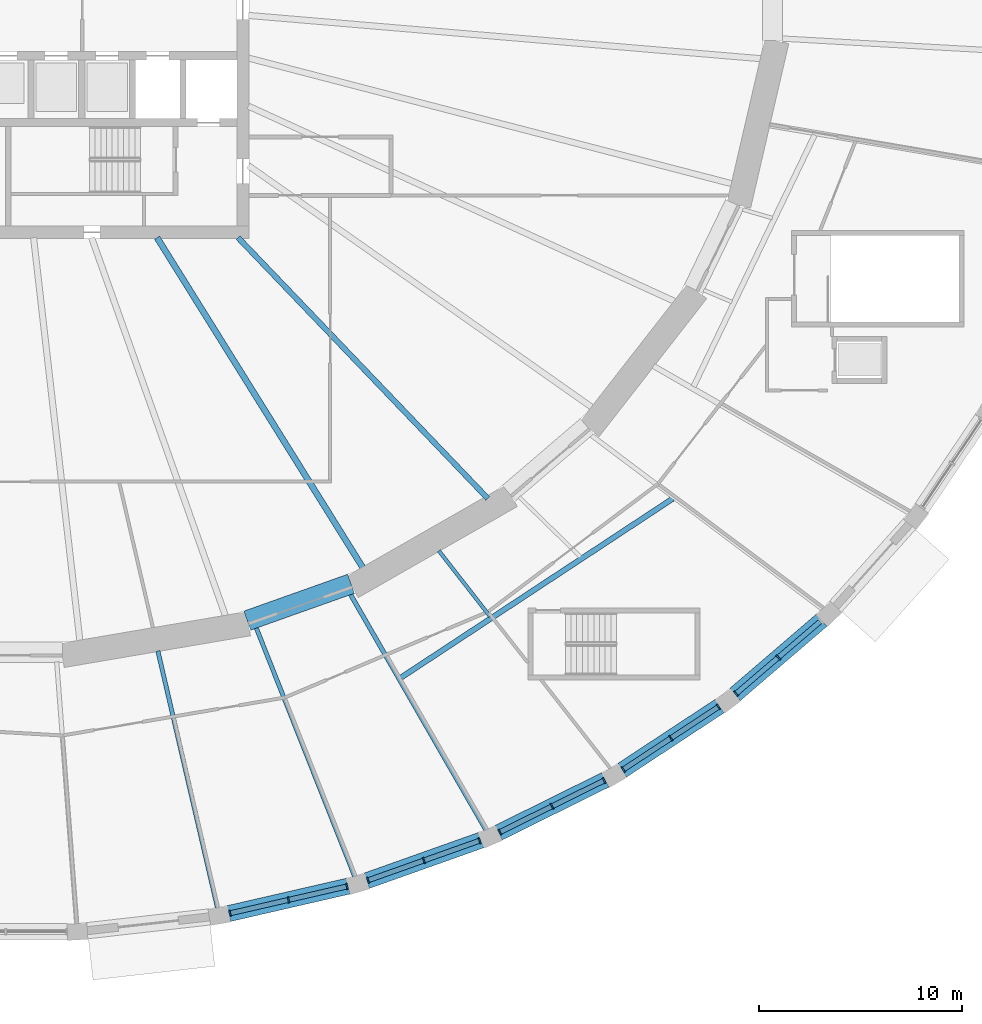
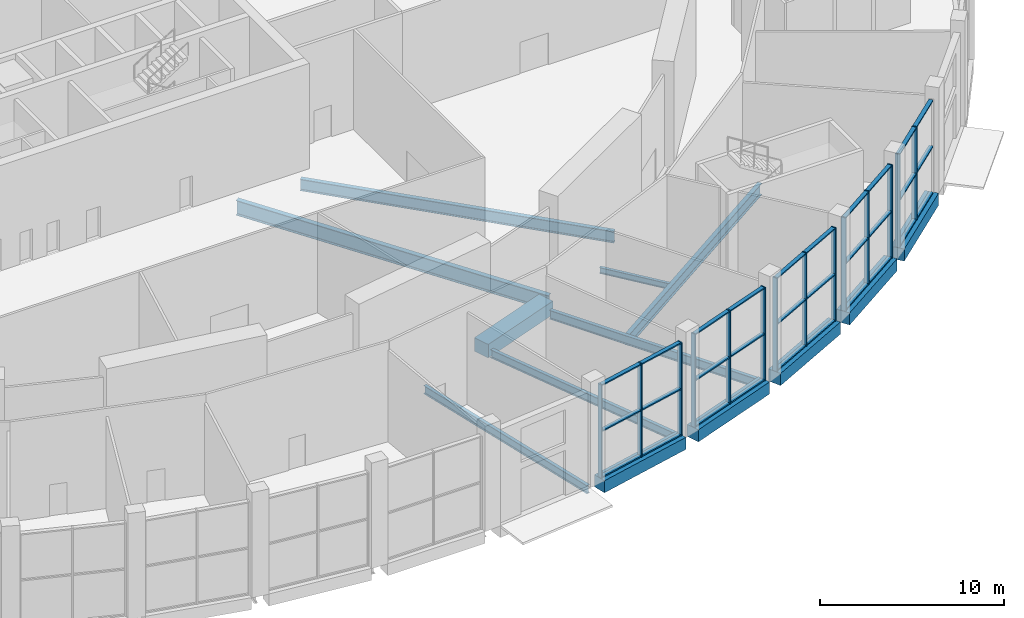
# One storey, part 7 of 33: 44 members, 13 beams, 5 elements without a shape of their own.
"""IFC4 building model written with IfcOpenShell, lengths in metres."""

from ifc_helpers import new_model, si_unit, direction, frame, origin, origin_2d, place, context, subcontext, project, spatial, rectangle, i_section, extrude, material, material_profile, profile_set, type_object, element, aggregate, save


model = new_model("IFC4")

# Units and contexts
model_context = context("Model", 3, precision=1e-05, world=origin(), true_north=direction((0.0, 1.0)))
body_context = subcontext(model_context, "Body", "Model", "MODEL_VIEW")
ifc_project = project(units=[si_unit("LENGTHUNIT", "METRE"), si_unit("AREAUNIT", "SQUARE_METRE"), si_unit("VOLUMEUNIT", "CUBIC_METRE"), si_unit("PLANEANGLEUNIT", "RADIAN"), si_unit("MASSUNIT", "GRAM", prefix="KILO")], contexts=[model_context])

# Site, building, storey
site_placement = place(None, origin())
site = spatial("IfcSite", under=ifc_project, at=site_placement, CompositionType="ELEMENT")
building_placement = place(site_placement, origin())
building = spatial("IfcBuilding", under=site, at=building_placement, Name="Halqa Exchange Tower", CompositionType="ELEMENT")
storey_placement = place(building_placement, origin())
storey = spatial("IfcBuildingStorey", under=building, at=storey_placement, Name="L00", CompositionType="ELEMENT", Elevation=0.0)

# Beams
ifc_material_1 = material(Name="Steel S355", Category="steel")
ifc_material_profile_1 = material_profile(ifc_material_1, i_section(OverallWidth=0.300048828125, OverallDepth=0.989990234375, WebThickness=0.0166015625, FlangeThickness=0.031005859375, FilletRadius=0.030029296875, at=origin_2d()), Name="HEA 1000")
ifc_profile_set_1 = profile_set([ifc_material_profile_1], Name="Steel S355")
beam_type_1 = type_object("IfcBeamType", Name="Floor beam HEA 1000", PredefinedType="BEAM", material=ifc_profile_set_1)
beam_1_placement = place(storey_placement, frame((7.46533203125, -11.971435546875, -0.945068359375), z_axis=(0.529145823441, -0.848530905468, 0.0), x_axis=(0.848530905468, 0.529145823441, 0.0)))
element("IfcBeam", 1, at=beam_1_placement, inside=storey, type_object=beam_type_1, Name="Radial beam 27", PredefinedType="BEAM", context=body_context, shape_type="SweptSolid", body=[
    extrude(i_section(OverallWidth=0.300048828125, OverallDepth=0.989990234375, WebThickness=0.0166015625, FlangeThickness=0.031005859375, FilletRadius=0.030029296875, at=origin_2d()), origin(), (0.0, 0.0, 1.0), 19.27294921875),
])
ifc_material_profile_2 = material_profile(ifc_material_1, i_section(OverallWidth=0.179931640625, OverallDepth=0.39990234375, WebThickness=0.008544921875, FlangeThickness=0.013427734375, FilletRadius=0.02099609375, at=origin_2d()), Name="IPE 400")
ifc_profile_set_2 = profile_set([ifc_material_profile_2], Name="Steel S355")
beam_type_2 = type_object("IfcBeamType", Name="Floor beam IPE 400", PredefinedType="BEAM", material=ifc_profile_set_2)
beam_2_placement = place(storey_placement, frame((21.3603515625, -27.40966796875, -0.64990234375), z_axis=(0.614706293657, -0.788756091919, 0.0), x_axis=(0.788756091919, 0.614706293657, 0.0)))
element("IfcBeam", 2, at=beam_2_placement, inside=storey, type_object=beam_type_2, Name="Radial beam 41a", PredefinedType="BEAM", context=body_context, shape_type="SweptSolid", body=[
    extrude(i_section(OverallWidth=0.179931640625, OverallDepth=0.39990234375, WebThickness=0.008544921875, FlangeThickness=0.013427734375, FilletRadius=0.02099609375, at=origin_2d()), origin(), (0.0, 0.0, 1.0), 4.104248046875),
])
ifc_material_profile_3 = material_profile(ifc_material_1, i_section(OverallWidth=0.2099609375, OverallDepth=0.550048828125, WebThickness=0.010986328125, FlangeThickness=0.01708984375, FilletRadius=0.02392578125, at=origin_2d()), Name="IPE 550")
ifc_profile_set_3 = profile_set([ifc_material_profile_3], Name="Steel S355")
beam_type_3 = type_object("IfcBeamType", Name="Floor beam IPE 550", PredefinedType="BEAM", material=ifc_profile_set_3)
beam_3_placement = place(storey_placement, frame((7.5048828125, -32.35009765625, -0.72509765625), z_axis=(0.2259960959, -0.974128207495, 0.0), x_axis=(0.974128207495, 0.2259960959, 0.0)))
element("IfcBeam", 3, at=beam_3_placement, inside=storey, type_object=beam_type_3, Name="Radial beam 38", PredefinedType="BEAM", context=body_context, shape_type="SweptSolid", body=[
    extrude(i_section(OverallWidth=0.2099609375, OverallDepth=0.550048828125, WebThickness=0.010986328125, FlangeThickness=0.01708984375, FilletRadius=0.02392578125, at=origin_2d()), origin(), (0.0, 0.0, 1.0), 13.03466796875),
])
beam_4_placement = place(storey_placement, frame((12.352294921875, -31.2001953125, -0.72509765625), z_axis=(0.368106640822, -0.929783577497, 0.0), x_axis=(0.929783577497, 0.368106640822, 0.0)))
element("IfcBeam", 4, at=beam_4_placement, inside=storey, type_object=beam_type_3, Name="Radial beam 39", PredefinedType="BEAM", context=body_context, shape_type="SweptSolid", body=[
    extrude(i_section(OverallWidth=0.2099609375, OverallDepth=0.550048828125, WebThickness=0.010986328125, FlangeThickness=0.01708984375, FilletRadius=0.02392578125, at=origin_2d()), origin(), (0.0, 0.0, 1.0), 13.22412109375),
])
ifc_material_profile_4 = material_profile(ifc_material_1, i_section(OverallWidth=0.219970703125, OverallDepth=0.60009765625, WebThickness=0.011962890625, FlangeThickness=0.01904296875, FilletRadius=0.02392578125, at=origin_2d()), Name="IPE 600")
ifc_profile_set_4 = profile_set([ifc_material_profile_4], Name="Steel S355")
beam_type_4 = type_object("IfcBeamType", Name="Floor beam IPE 600", PredefinedType="BEAM", material=ifc_profile_set_4)
beam_5_placement = place(storey_placement, frame((16.996826171875, -29.551513671875, -0.75), z_axis=(0.498570786865, -0.866848989435, 0.0), x_axis=(0.866848989435, 0.498570786865, 0.0)))
element("IfcBeam", 5, at=beam_5_placement, inside=storey, type_object=beam_type_4, Name="Radial beam 40", PredefinedType="BEAM", context=body_context, shape_type="SweptSolid", body=[
    extrude(i_section(OverallWidth=0.219970703125, OverallDepth=0.60009765625, WebThickness=0.011962890625, FlangeThickness=0.01904296875, FilletRadius=0.02392578125, at=origin_2d()), origin(), (0.0, 0.0, 1.0), 13.438720703125),
])
ifc_material_profile_5 = material_profile(ifc_material_1, i_section(OverallWidth=0.26806640625, OverallDepth=0.77001953125, WebThickness=0.015625, FlangeThickness=0.025390625, FilletRadius=0.01708984375, at=origin_2d()), Name="IPE 750x196")
ifc_profile_set_5 = profile_set([ifc_material_profile_5], Name="Steel S355")
beam_type_5 = type_object("IfcBeamType", Name="Floor beam IPE 750x196", PredefinedType="BEAM", material=ifc_profile_set_5)
beam_6_placement = place(storey_placement, frame((11.46240234375, -11.9716796875, -0.8349609375), z_axis=(0.6915763718, -0.722303344841, 0.0), x_axis=(0.722303344841, 0.6915763718, 0.0)))
element("IfcBeam", 6, at=beam_6_placement, inside=storey, type_object=beam_type_5, Name="Radial beam 28", PredefinedType="BEAM", context=body_context, shape_type="SweptSolid", body=[
    extrude(i_section(OverallWidth=0.26806640625, OverallDepth=0.77001953125, WebThickness=0.015625, FlangeThickness=0.025390625, FilletRadius=0.01708984375, at=origin_2d()), origin(), (0.0, 0.0, 1.0), 17.7978515625),
])
beam_7_placement = place(storey_placement, frame((19.467041015625, -33.682373046875, -0.8349609375), z_axis=(0.835204203593, 0.54993994063, 0.0), x_axis=(-0.54993994063, 0.835204203593, 0.0)))
element("IfcBeam", 7, at=beam_7_placement, inside=storey, type_object=beam_type_5, Name="Radial beam TPS2-in", PredefinedType="BEAM", context=body_context, shape_type="SweptSolid", body=[
    extrude(i_section(OverallWidth=0.26806640625, OverallDepth=0.77001953125, WebThickness=0.015625, FlangeThickness=0.025390625, FilletRadius=0.01708984375, at=origin_2d()), origin(), (0.0, 0.0, 1.0), 16.07958984375),
])
ifc_material_2 = material(Name="Concrete C60/75", Category="concrete")
ifc_material_profile_6 = material_profile(ifc_material_2, rectangle(XDim=0.800048828125, YDim=0.800048828125, at=origin_2d()), Name="800 x 800")
ifc_profile_set_6 = profile_set([ifc_material_profile_6], Name="Concrete C60/75")
beam_type_6 = type_object("IfcBeamType", Name="RC podium edge beam 800 x 800 C60/75", PredefinedType="SPANDREL", material=ifc_profile_set_6)
beam_8_placement = place(storey_placement, frame((10.99658203125, -45.304443359375, -0.39990234375), z_axis=(0.974604133477, 0.223934774008, 0.0), x_axis=(-0.223934774008, 0.974604133477, 0.0)))
element("IfcBeam", 8, at=beam_8_placement, inside=storey, type_object=beam_type_6, Name="Podium edge beam 38", PredefinedType="SPANDREL", context=body_context, shape_type="SweptSolid", body=[
    extrude(rectangle(XDim=0.800048828125, YDim=0.800048828125, at=origin_2d()), origin(), (0.0, 0.0, 1.0), 6.05517578125),
])
beam_9_placement = place(storey_placement, frame((17.802490234375, -43.684814453125, -0.39990234375), z_axis=(0.942343471221, 0.334647250469, 0.0), x_axis=(-0.334647250469, 0.942343471221, 0.0)))
element("IfcBeam", 9, at=beam_9_placement, inside=storey, type_object=beam_type_6, Name="Podium edge beam 39", PredefinedType="SPANDREL", context=body_context, shape_type="SweptSolid", body=[
    extrude(rectangle(XDim=0.800048828125, YDim=0.800048828125, at=origin_2d()), origin(), (0.0, 0.0, 1.0), 5.980712890625),
])
beam_10_placement = place(storey_placement, frame((24.30712890625, -41.3154296875, -0.39990234375), z_axis=(0.896205416004, 0.443639326847, 0.0), x_axis=(-0.443639326847, 0.896205416004, 0.0)))
element("IfcBeam", 10, at=beam_10_placement, inside=storey, type_object=beam_type_6, Name="Podium edge beam 40", PredefinedType="SPANDREL", context=body_context, shape_type="SweptSolid", body=[
    extrude(rectangle(XDim=0.800048828125, YDim=0.800048828125, at=origin_2d()), origin(), (0.0, 0.0, 1.0), 5.880126953125),
])
beam_11_placement = place(storey_placement, frame((30.396240234375, -38.23681640625, -0.39990234375), z_axis=(0.835418618456, 0.549614166426, 0.0), x_axis=(-0.549614166426, 0.835418618456, 0.0)))
element("IfcBeam", 11, at=beam_11_placement, inside=storey, type_object=beam_type_6, Name="Podium edge beam 41", PredefinedType="SPANDREL", context=body_context, shape_type="SweptSolid", body=[
    extrude(rectangle(XDim=0.800048828125, YDim=0.800048828125, at=origin_2d()), origin(), (0.0, 0.0, 1.0), 5.760986328125),
])
beam_12_placement = place(storey_placement, frame((35.963134765625, -34.502685546875, -0.39990234375), z_axis=(0.759174010844, 0.650887717859, 0.0), x_axis=(-0.650887717859, 0.759174010844, 0.0)))
element("IfcBeam", 12, at=beam_12_placement, inside=storey, type_object=beam_type_6, Name="Podium edge beam 42", PredefinedType="SPANDREL", context=body_context, shape_type="SweptSolid", body=[
    extrude(rectangle(XDim=0.800048828125, YDim=0.800048828125, at=origin_2d()), origin(), (0.0, 0.0, 1.0), 5.63427734375),
])
ifc_material_profile_7 = material_profile(ifc_material_2, rectangle(XDim=1.0, YDim=0.89990234375, at=origin_2d()), Name="1000 x 900")
ifc_profile_set_7 = profile_set([ifc_material_profile_7], Name="Concrete C60/75")
beam_type_7 = type_object("IfcBeamType", Name="RC spandrel beam 1000 x 900 C60/75", PredefinedType="SPANDREL", material=ifc_profile_set_7)
beam_13_placement = place(storey_placement, frame((11.9130859375, -30.855712890625, -0.449951171875), z_axis=(0.942357788657, 0.334606930826, 0.0), x_axis=(-0.334606930826, 0.942357788657, 0.0)))
element("IfcBeam", 13, at=beam_13_placement, inside=storey, type_object=beam_type_7, Name="Spandrel 26", PredefinedType="SPANDREL", context=body_context, shape_type="SweptSolid", body=[
    extrude(rectangle(XDim=1.0, YDim=0.89990234375, at=origin_2d()), origin(), (0.0, 0.0, 1.0), 5.429931640625),
])

# Curtain wall, members
ifc_material_3 = material(Name="Anodised aluminium and clear glass", Category="aluminium")
curtain_wall_type = type_object("IfcCurtainWallType", Name="Station concourse glazing", PredefinedType="NOTDEFINED", material=ifc_material_3)
curtain_wall_1_placement = place(storey_placement, origin())
curtain_wall_1 = element("IfcCurtainWall", 14, at=curtain_wall_1_placement, inside=storey, type_object=curtain_wall_type, Name="Station concourse glazing run P38", PredefinedType="NOTDEFINED")
ifc_material_4 = material(Name="Anodised aluminium", Category="aluminium")
ifc_material_profile_8 = material_profile(ifc_material_4, rectangle(XDim=0.300048828125, YDim=0.080078125, at=origin_2d()), Name="AL 80x300")
ifc_profile_set_8 = profile_set([ifc_material_profile_8], Name="Anodised aluminium")
member_type_1 = type_object("IfcMemberType", Name="Station concourse glazing mullion 80 x 300", PredefinedType="MULLION", material=ifc_profile_set_8)
member_1_placement = place(storey_placement, frame((11.061279296875, -45.28955078125, 0.0), z_axis=(0.0, 0.0, 1.0), x_axis=(-0.223896655269, 0.974612891234, 0.0)))
member_1 = element("IfcMember", 15, at=member_1_placement, type_object=member_type_1, Name="P38 mullion 1", PredefinedType="MULLION", context=body_context, shape_type="SweptSolid", body=[
    extrude(rectangle(XDim=0.300048828125, YDim=0.080078125, at=origin_2d()), origin(), (0.0, 0.0, 1.0), 6.199951171875),
])
member_2_placement = place(storey_placement, frame((13.9462890625, -44.626708984375, 0.0), z_axis=(0.0, 0.0, 1.0), x_axis=(-0.223896655269, 0.974612891234, 0.0)))
member_2 = element("IfcMember", 16, at=member_2_placement, type_object=member_type_1, Name="P38 mullion 2", PredefinedType="MULLION", context=body_context, shape_type="SweptSolid", body=[
    extrude(rectangle(XDim=0.300048828125, YDim=0.080078125, at=origin_2d()), origin(), (0.0, 0.0, 1.0), 6.199951171875),
])
member_3_placement = place(storey_placement, frame((16.831298828125, -43.9638671875, 0.0), z_axis=(0.0, 0.0, 1.0), x_axis=(-0.223896655269, 0.974612891234, 0.0)))
member_3 = element("IfcMember", 17, at=member_3_placement, type_object=member_type_1, Name="P38 mullion 3", PredefinedType="MULLION", context=body_context, shape_type="SweptSolid", body=[
    extrude(rectangle(XDim=0.300048828125, YDim=0.080078125, at=origin_2d()), origin(), (0.0, 0.0, 1.0), 6.199951171875),
])

curtain_wall_2_placement = place(storey_placement, origin())
curtain_wall_2 = element("IfcCurtainWall", 18, at=curtain_wall_2_placement, inside=storey, type_object=curtain_wall_type, Name="Station concourse glazing run P39", PredefinedType="NOTDEFINED")
member_4_placement = place(storey_placement, frame((17.86669921875, -43.662109375, 0.0), z_axis=(0.0, 0.0, 1.0), x_axis=(-0.334688348326, 0.942328875444, 0.0)))
member_4 = element("IfcMember", 19, at=member_4_placement, type_object=member_type_1, Name="P39 mullion 1", PredefinedType="MULLION", context=body_context, shape_type="SweptSolid", body=[
    extrude(rectangle(XDim=0.300048828125, YDim=0.080078125, at=origin_2d()), origin(), (0.0, 0.0, 1.0), 6.199951171875),
])
member_5_placement = place(storey_placement, frame((20.62060546875, -42.68408203125, 0.0), z_axis=(0.0, 0.0, 1.0), x_axis=(-0.334688348326, 0.942328875444, 0.0)))
member_5 = element("IfcMember", 20, at=member_5_placement, type_object=member_type_1, Name="P39 mullion 2", PredefinedType="MULLION", context=body_context, shape_type="SweptSolid", body=[
    extrude(rectangle(XDim=0.300048828125, YDim=0.080078125, at=origin_2d()), origin(), (0.0, 0.0, 1.0), 6.199951171875),
])
member_6_placement = place(storey_placement, frame((23.374755859375, -41.705810546875, 0.0), z_axis=(0.0, 0.0, 1.0), x_axis=(-0.334688348326, 0.942328875444, 0.0)))
member_6 = element("IfcMember", 21, at=member_6_placement, type_object=member_type_1, Name="P39 mullion 3", PredefinedType="MULLION", context=body_context, shape_type="SweptSolid", body=[
    extrude(rectangle(XDim=0.300048828125, YDim=0.080078125, at=origin_2d()), origin(), (0.0, 0.0, 1.0), 6.199951171875),
])

curtain_wall_3_placement = place(storey_placement, origin())
curtain_wall_3 = element("IfcCurtainWall", 22, at=curtain_wall_3_placement, inside=storey, type_object=curtain_wall_type, Name="Station concourse glazing run P40", PredefinedType="NOTDEFINED")
member_7_placement = place(storey_placement, frame((24.367431640625, -41.28564453125, 0.0), z_axis=(0.0, 0.0, 1.0), x_axis=(-0.443653417058, 0.896198440934, 0.0)))
member_7 = element("IfcMember", 23, at=member_7_placement, type_object=member_type_1, Name="P40 mullion 1", PredefinedType="MULLION", context=body_context, shape_type="SweptSolid", body=[
    extrude(rectangle(XDim=0.300048828125, YDim=0.080078125, at=origin_2d()), origin(), (0.0, 0.0, 1.0), 6.199951171875),
])
member_8_placement = place(storey_placement, frame((26.942138671875, -40.010986328125, 0.0), z_axis=(0.0, 0.0, 1.0), x_axis=(-0.443653417058, 0.896198440934, 0.0)))
member_8 = element("IfcMember", 24, at=member_8_placement, type_object=member_type_1, Name="P40 mullion 2", PredefinedType="MULLION", context=body_context, shape_type="SweptSolid", body=[
    extrude(rectangle(XDim=0.300048828125, YDim=0.080078125, at=origin_2d()), origin(), (0.0, 0.0, 1.0), 6.199951171875),
])
member_9_placement = place(storey_placement, frame((29.516845703125, -38.736572265625, 0.0), z_axis=(0.0, 0.0, 1.0), x_axis=(-0.443653417058, 0.896198440934, 0.0)))
member_9 = element("IfcMember", 25, at=member_9_placement, type_object=member_type_1, Name="P40 mullion 3", PredefinedType="MULLION", context=body_context, shape_type="SweptSolid", body=[
    extrude(rectangle(XDim=0.300048828125, YDim=0.080078125, at=origin_2d()), origin(), (0.0, 0.0, 1.0), 6.199951171875),
])

curtain_wall_4_placement = place(storey_placement, origin())
curtain_wall_4 = element("IfcCurtainWall", 26, at=curtain_wall_4_placement, inside=storey, type_object=curtain_wall_type, Name="Station concourse glazing run P41", PredefinedType="NOTDEFINED")
member_10_placement = place(storey_placement, frame((30.451904296875, -38.2001953125, 0.0), z_axis=(0.0, 0.0, 1.0), x_axis=(-0.549620040919, 0.835414753652, 0.0)))
member_10 = element("IfcMember", 27, at=member_10_placement, type_object=member_type_1, Name="P41 mullion 1", PredefinedType="MULLION", context=body_context, shape_type="SweptSolid", body=[
    extrude(rectangle(XDim=0.300048828125, YDim=0.080078125, at=origin_2d()), origin(), (0.0, 0.0, 1.0), 6.199951171875),
])
member_11_placement = place(storey_placement, frame((32.802734375, -36.653564453125, 0.0), z_axis=(0.0, 0.0, 1.0), x_axis=(-0.549620040919, 0.835414753652, 0.0)))
member_11 = element("IfcMember", 28, at=member_11_placement, type_object=member_type_1, Name="P41 mullion 2", PredefinedType="MULLION", context=body_context, shape_type="SweptSolid", body=[
    extrude(rectangle(XDim=0.300048828125, YDim=0.080078125, at=origin_2d()), origin(), (0.0, 0.0, 1.0), 6.199951171875),
])
member_12_placement = place(storey_placement, frame((35.153564453125, -35.10693359375, 0.0), z_axis=(0.0, 0.0, 1.0), x_axis=(-0.549620040919, 0.835414753652, 0.0)))
member_12 = element("IfcMember", 29, at=member_12_placement, type_object=member_type_1, Name="P41 mullion 3", PredefinedType="MULLION", context=body_context, shape_type="SweptSolid", body=[
    extrude(rectangle(XDim=0.300048828125, YDim=0.080078125, at=origin_2d()), origin(), (0.0, 0.0, 1.0), 6.199951171875),
])

curtain_wall_5_placement = place(storey_placement, origin())
curtain_wall_5 = element("IfcCurtainWall", 30, at=curtain_wall_5_placement, inside=storey, type_object=curtain_wall_type, Name="Station concourse glazing run P42", PredefinedType="NOTDEFINED")
member_13_placement = place(storey_placement, frame((36.0146484375, -34.458740234375, 0.0), z_axis=(0.0, 0.0, 1.0), x_axis=(-0.650910929175, 0.759154109704, 0.0)))
member_13 = element("IfcMember", 31, at=member_13_placement, type_object=member_type_1, Name="P42 mullion 1", PredefinedType="MULLION", context=body_context, shape_type="SweptSolid", body=[
    extrude(rectangle(XDim=0.300048828125, YDim=0.080078125, at=origin_2d()), origin(), (0.0, 0.0, 1.0), 6.199951171875),
])
member_14_placement = place(storey_placement, frame((38.10205078125, -32.6689453125, 0.0), z_axis=(0.0, 0.0, 1.0), x_axis=(-0.650910929175, 0.759154109704, 0.0)))
member_14 = element("IfcMember", 32, at=member_14_placement, type_object=member_type_1, Name="P42 mullion 2", PredefinedType="MULLION", context=body_context, shape_type="SweptSolid", body=[
    extrude(rectangle(XDim=0.300048828125, YDim=0.080078125, at=origin_2d()), origin(), (0.0, 0.0, 1.0), 6.199951171875),
])

# Member
ifc_material_profile_9 = material_profile(ifc_material_4, rectangle(XDim=0.25, YDim=0.080078125, at=origin_2d()), Name="AL 80x250")
ifc_profile_set_9 = profile_set([ifc_material_profile_9], Name="Anodised aluminium")
member_type_2 = type_object("IfcMemberType", Name="Station concourse glazing transom 80 x 250", PredefinedType="USERDEFINED", material=ifc_profile_set_9)
member_15_placement = place(storey_placement, frame((11.10009765625, -45.280517578125, 0.0400390625), z_axis=(0.974602195653, 0.223943207594, 0.0), x_axis=(-0.223943207594, 0.974602195653, 0.0)))
member_15 = element("IfcMember", 33, at=member_15_placement, type_object=member_type_2, Name="P38 transom 1.1", ObjectType="TRANSOM", PredefinedType="USERDEFINED", context=body_context, shape_type="SweptSolid", body=[
    extrude(rectangle(XDim=0.25, YDim=0.080078125, at=origin_2d()), origin(), (0.0, 0.0, 1.0), 2.88037109375),
])

member_16_placement = place(storey_placement, frame((11.10009765625, -45.280517578125, 3.10009765625), z_axis=(0.974602195653, 0.223943207594, 0.0), x_axis=(-0.223943207594, 0.974602195653, 0.0)))
member_16 = element("IfcMember", 34, at=member_16_placement, type_object=member_type_2, Name="P38 transom 1.2", ObjectType="TRANSOM", PredefinedType="USERDEFINED", context=body_context, shape_type="SweptSolid", body=[
    extrude(rectangle(XDim=0.25, YDim=0.080078125, at=origin_2d()), origin(), (0.0, 0.0, 1.0), 2.88037109375),
])

member_17_placement = place(storey_placement, frame((11.10009765625, -45.280517578125, 6.159912109375), z_axis=(0.974602195653, 0.223943207594, 0.0), x_axis=(-0.223943207594, 0.974602195653, 0.0)))
member_17 = element("IfcMember", 35, at=member_17_placement, type_object=member_type_2, Name="P38 transom 1.3", ObjectType="TRANSOM", PredefinedType="USERDEFINED", context=body_context, shape_type="SweptSolid", body=[
    extrude(rectangle(XDim=0.25, YDim=0.080078125, at=origin_2d()), origin(), (0.0, 0.0, 1.0), 2.88037109375),
])

member_18_placement = place(storey_placement, frame((13.9853515625, -44.61767578125, 0.0400390625), z_axis=(0.974620692621, 0.223862693443, 0.0), x_axis=(-0.223862693443, 0.974620692621, 0.0)))
member_18 = element("IfcMember", 36, at=member_18_placement, type_object=member_type_2, Name="P38 transom 2.1", ObjectType="TRANSOM", PredefinedType="USERDEFINED", context=body_context, shape_type="SweptSolid", body=[
    extrude(rectangle(XDim=0.25, YDim=0.080078125, at=origin_2d()), origin(), (0.0, 0.0, 1.0), 2.880126953125),
])

member_19_placement = place(storey_placement, frame((13.9853515625, -44.61767578125, 3.10009765625), z_axis=(0.974620692621, 0.223862693443, 0.0), x_axis=(-0.223862693443, 0.974620692621, 0.0)))
member_19 = element("IfcMember", 37, at=member_19_placement, type_object=member_type_2, Name="P38 transom 2.2", ObjectType="TRANSOM", PredefinedType="USERDEFINED", context=body_context, shape_type="SweptSolid", body=[
    extrude(rectangle(XDim=0.25, YDim=0.080078125, at=origin_2d()), origin(), (0.0, 0.0, 1.0), 2.880126953125),
])

member_20_placement = place(storey_placement, frame((13.9853515625, -44.61767578125, 6.159912109375), z_axis=(0.974620692621, 0.223862693443, 0.0), x_axis=(-0.223862693443, 0.974620692621, 0.0)))
member_20 = element("IfcMember", 38, at=member_20_placement, type_object=member_type_2, Name="P38 transom 2.3", ObjectType="TRANSOM", PredefinedType="USERDEFINED", context=body_context, shape_type="SweptSolid", body=[
    extrude(rectangle(XDim=0.25, YDim=0.080078125, at=origin_2d()), origin(), (0.0, 0.0, 1.0), 2.880126953125),
])

aggregate(curtain_wall_1, [member_1, member_2, member_3, member_15, member_16, member_17, member_18, member_19, member_20])

member_21_placement = place(storey_placement, frame((17.904296875, -43.64892578125, 0.0400390625), z_axis=(0.942327292473, 0.33469280521, 0.0), x_axis=(-0.33469280521, 0.942327292473, 0.0)))
member_21 = element("IfcMember", 39, at=member_21_placement, type_object=member_type_2, Name="P39 transom 1.1", ObjectType="TRANSOM", PredefinedType="USERDEFINED", context=body_context, shape_type="SweptSolid", body=[
    extrude(rectangle(XDim=0.25, YDim=0.080078125, at=origin_2d()), origin(), (0.0, 0.0, 1.0), 2.8427734375),
])

member_22_placement = place(storey_placement, frame((17.904296875, -43.64892578125, 3.10009765625), z_axis=(0.942327292473, 0.33469280521, 0.0), x_axis=(-0.33469280521, 0.942327292473, 0.0)))
member_22 = element("IfcMember", 40, at=member_22_placement, type_object=member_type_2, Name="P39 transom 1.2", ObjectType="TRANSOM", PredefinedType="USERDEFINED", context=body_context, shape_type="SweptSolid", body=[
    extrude(rectangle(XDim=0.25, YDim=0.080078125, at=origin_2d()), origin(), (0.0, 0.0, 1.0), 2.8427734375),
])

member_23_placement = place(storey_placement, frame((17.904296875, -43.64892578125, 6.159912109375), z_axis=(0.942327292473, 0.33469280521, 0.0), x_axis=(-0.33469280521, 0.942327292473, 0.0)))
member_23 = element("IfcMember", 41, at=member_23_placement, type_object=member_type_2, Name="P39 transom 1.3", ObjectType="TRANSOM", PredefinedType="USERDEFINED", context=body_context, shape_type="SweptSolid", body=[
    extrude(rectangle(XDim=0.25, YDim=0.080078125, at=origin_2d()), origin(), (0.0, 0.0, 1.0), 2.8427734375),
])

member_24_placement = place(storey_placement, frame((20.658447265625, -42.670654296875, 0.0400390625), z_axis=(0.94231767056, 0.334719894465, 0.0), x_axis=(-0.334719894465, 0.94231767056, 0.0)))
member_24 = element("IfcMember", 42, at=member_24_placement, type_object=member_type_2, Name="P39 transom 2.1", ObjectType="TRANSOM", PredefinedType="USERDEFINED", context=body_context, shape_type="SweptSolid", body=[
    extrude(rectangle(XDim=0.25, YDim=0.080078125, at=origin_2d()), origin(), (0.0, 0.0, 1.0), 2.842529296875),
])

member_25_placement = place(storey_placement, frame((20.658447265625, -42.670654296875, 3.10009765625), z_axis=(0.94231767056, 0.334719894465, 0.0), x_axis=(-0.334719894465, 0.94231767056, 0.0)))
member_25 = element("IfcMember", 43, at=member_25_placement, type_object=member_type_2, Name="P39 transom 2.2", ObjectType="TRANSOM", PredefinedType="USERDEFINED", context=body_context, shape_type="SweptSolid", body=[
    extrude(rectangle(XDim=0.25, YDim=0.080078125, at=origin_2d()), origin(), (0.0, 0.0, 1.0), 2.842529296875),
])

member_26_placement = place(storey_placement, frame((20.658447265625, -42.670654296875, 6.159912109375), z_axis=(0.94231767056, 0.334719894465, 0.0), x_axis=(-0.334719894465, 0.94231767056, 0.0)))
member_26 = element("IfcMember", 44, at=member_26_placement, type_object=member_type_2, Name="P39 transom 2.3", ObjectType="TRANSOM", PredefinedType="USERDEFINED", context=body_context, shape_type="SweptSolid", body=[
    extrude(rectangle(XDim=0.25, YDim=0.080078125, at=origin_2d()), origin(), (0.0, 0.0, 1.0), 2.842529296875),
])

aggregate(curtain_wall_2, [member_4, member_5, member_6, member_21, member_22, member_23, member_24, member_25, member_26])

member_27_placement = place(storey_placement, frame((24.4033203125, -41.267822265625, 0.0400390625), z_axis=(0.896203395176, 0.443643409142, 0.0), x_axis=(-0.443643409142, 0.896203395176, 0.0)))
member_27 = element("IfcMember", 45, at=member_27_placement, type_object=member_type_2, Name="P40 transom 1.1", ObjectType="TRANSOM", PredefinedType="USERDEFINED", context=body_context, shape_type="SweptSolid", body=[
    extrude(rectangle(XDim=0.25, YDim=0.080078125, at=origin_2d()), origin(), (0.0, 0.0, 1.0), 2.792724609375),
])

member_28_placement = place(storey_placement, frame((24.4033203125, -41.267822265625, 3.10009765625), z_axis=(0.896203395176, 0.443643409142, 0.0), x_axis=(-0.443643409142, 0.896203395176, 0.0)))
member_28 = element("IfcMember", 46, at=member_28_placement, type_object=member_type_2, Name="P40 transom 1.2", ObjectType="TRANSOM", PredefinedType="USERDEFINED", context=body_context, shape_type="SweptSolid", body=[
    extrude(rectangle(XDim=0.25, YDim=0.080078125, at=origin_2d()), origin(), (0.0, 0.0, 1.0), 2.792724609375),
])

member_29_placement = place(storey_placement, frame((24.4033203125, -41.267822265625, 6.159912109375), z_axis=(0.896203395176, 0.443643409142, 0.0), x_axis=(-0.443643409142, 0.896203395176, 0.0)))
member_29 = element("IfcMember", 47, at=member_29_placement, type_object=member_type_2, Name="P40 transom 1.3", ObjectType="TRANSOM", PredefinedType="USERDEFINED", context=body_context, shape_type="SweptSolid", body=[
    extrude(rectangle(XDim=0.25, YDim=0.080078125, at=origin_2d()), origin(), (0.0, 0.0, 1.0), 2.792724609375),
])

member_30_placement = place(storey_placement, frame((26.97802734375, -39.993408203125, 0.0400390625), z_axis=(0.896203395176, 0.443643409142, 0.0), x_axis=(-0.443643409142, 0.896203395176, 0.0)))
member_30 = element("IfcMember", 48, at=member_30_placement, type_object=member_type_2, Name="P40 transom 2.1", ObjectType="TRANSOM", PredefinedType="USERDEFINED", context=body_context, shape_type="SweptSolid", body=[
    extrude(rectangle(XDim=0.25, YDim=0.080078125, at=origin_2d()), origin(), (0.0, 0.0, 1.0), 2.792724609375),
])

member_31_placement = place(storey_placement, frame((26.97802734375, -39.993408203125, 3.10009765625), z_axis=(0.896203395176, 0.443643409142, 0.0), x_axis=(-0.443643409142, 0.896203395176, 0.0)))
member_31 = element("IfcMember", 49, at=member_31_placement, type_object=member_type_2, Name="P40 transom 2.2", ObjectType="TRANSOM", PredefinedType="USERDEFINED", context=body_context, shape_type="SweptSolid", body=[
    extrude(rectangle(XDim=0.25, YDim=0.080078125, at=origin_2d()), origin(), (0.0, 0.0, 1.0), 2.792724609375),
])

member_32_placement = place(storey_placement, frame((26.97802734375, -39.993408203125, 6.159912109375), z_axis=(0.896203395176, 0.443643409142, 0.0), x_axis=(-0.443643409142, 0.896203395176, 0.0)))
member_32 = element("IfcMember", 50, at=member_32_placement, type_object=member_type_2, Name="P40 transom 2.3", ObjectType="TRANSOM", PredefinedType="USERDEFINED", context=body_context, shape_type="SweptSolid", body=[
    extrude(rectangle(XDim=0.25, YDim=0.080078125, at=origin_2d()), origin(), (0.0, 0.0, 1.0), 2.792724609375),
])

aggregate(curtain_wall_3, [member_7, member_8, member_9, member_27, member_28, member_29, member_30, member_31, member_32])

member_33_placement = place(storey_placement, frame((30.4853515625, -38.17822265625, 0.0400390625), z_axis=(0.835400896538, 0.54964110296, 0.0), x_axis=(-0.54964110296, 0.835400896538, 0.0)))
member_33 = element("IfcMember", 51, at=member_33_placement, type_object=member_type_2, Name="P41 transom 1.1", ObjectType="TRANSOM", PredefinedType="USERDEFINED", context=body_context, shape_type="SweptSolid", body=[
    extrude(rectangle(XDim=0.25, YDim=0.080078125, at=origin_2d()), origin(), (0.0, 0.0, 1.0), 2.73388671875),
])

member_34_placement = place(storey_placement, frame((30.4853515625, -38.17822265625, 3.10009765625), z_axis=(0.835400896538, 0.54964110296, 0.0), x_axis=(-0.54964110296, 0.835400896538, 0.0)))
member_34 = element("IfcMember", 52, at=member_34_placement, type_object=member_type_2, Name="P41 transom 1.2", ObjectType="TRANSOM", PredefinedType="USERDEFINED", context=body_context, shape_type="SweptSolid", body=[
    extrude(rectangle(XDim=0.25, YDim=0.080078125, at=origin_2d()), origin(), (0.0, 0.0, 1.0), 2.73388671875),
])

member_35_placement = place(storey_placement, frame((30.4853515625, -38.17822265625, 6.159912109375), z_axis=(0.835400896538, 0.54964110296, 0.0), x_axis=(-0.54964110296, 0.835400896538, 0.0)))
member_35 = element("IfcMember", 53, at=member_35_placement, type_object=member_type_2, Name="P41 transom 1.3", ObjectType="TRANSOM", PredefinedType="USERDEFINED", context=body_context, shape_type="SweptSolid", body=[
    extrude(rectangle(XDim=0.25, YDim=0.080078125, at=origin_2d()), origin(), (0.0, 0.0, 1.0), 2.73388671875),
])

member_36_placement = place(storey_placement, frame((32.836181640625, -36.631591796875, 0.0400390625), z_axis=(0.835400896538, 0.54964110296, 0.0), x_axis=(-0.54964110296, 0.835400896538, 0.0)))
member_36 = element("IfcMember", 54, at=member_36_placement, type_object=member_type_2, Name="P41 transom 2.1", ObjectType="TRANSOM", PredefinedType="USERDEFINED", context=body_context, shape_type="SweptSolid", body=[
    extrude(rectangle(XDim=0.25, YDim=0.080078125, at=origin_2d()), origin(), (0.0, 0.0, 1.0), 2.73388671875),
])

member_37_placement = place(storey_placement, frame((32.836181640625, -36.631591796875, 3.10009765625), z_axis=(0.835400896538, 0.54964110296, 0.0), x_axis=(-0.54964110296, 0.835400896538, 0.0)))
member_37 = element("IfcMember", 55, at=member_37_placement, type_object=member_type_2, Name="P41 transom 2.2", ObjectType="TRANSOM", PredefinedType="USERDEFINED", context=body_context, shape_type="SweptSolid", body=[
    extrude(rectangle(XDim=0.25, YDim=0.080078125, at=origin_2d()), origin(), (0.0, 0.0, 1.0), 2.73388671875),
])

member_38_placement = place(storey_placement, frame((32.836181640625, -36.631591796875, 6.159912109375), z_axis=(0.835400896538, 0.54964110296, 0.0), x_axis=(-0.54964110296, 0.835400896538, 0.0)))
member_38 = element("IfcMember", 56, at=member_38_placement, type_object=member_type_2, Name="P41 transom 2.3", ObjectType="TRANSOM", PredefinedType="USERDEFINED", context=body_context, shape_type="SweptSolid", body=[
    extrude(rectangle(XDim=0.25, YDim=0.080078125, at=origin_2d()), origin(), (0.0, 0.0, 1.0), 2.73388671875),
])

aggregate(curtain_wall_4, [member_10, member_11, member_12, member_33, member_34, member_35, member_36, member_37, member_38])

member_39_placement = place(storey_placement, frame((36.044921875, -34.4326171875, 0.0400390625), z_axis=(0.759172672119, 0.6508892793, 0.0), x_axis=(-0.6508892793, 0.759172672119, 0.0)))
member_39 = element("IfcMember", 57, at=member_39_placement, type_object=member_type_2, Name="P42 transom 1.1", ObjectType="TRANSOM", PredefinedType="USERDEFINED", context=body_context, shape_type="SweptSolid", body=[
    extrude(rectangle(XDim=0.25, YDim=0.080078125, at=origin_2d()), origin(), (0.0, 0.0, 1.0), 2.66943359375),
])

member_40_placement = place(storey_placement, frame((36.044921875, -34.4326171875, 3.10009765625), z_axis=(0.759172672119, 0.6508892793, 0.0), x_axis=(-0.6508892793, 0.759172672119, 0.0)))
member_40 = element("IfcMember", 58, at=member_40_placement, type_object=member_type_2, Name="P42 transom 1.2", ObjectType="TRANSOM", PredefinedType="USERDEFINED", context=body_context, shape_type="SweptSolid", body=[
    extrude(rectangle(XDim=0.25, YDim=0.080078125, at=origin_2d()), origin(), (0.0, 0.0, 1.0), 2.66943359375),
])

member_41_placement = place(storey_placement, frame((36.044921875, -34.4326171875, 6.159912109375), z_axis=(0.759172672119, 0.6508892793, 0.0), x_axis=(-0.6508892793, 0.759172672119, 0.0)))
member_41 = element("IfcMember", 59, at=member_41_placement, type_object=member_type_2, Name="P42 transom 1.3", ObjectType="TRANSOM", PredefinedType="USERDEFINED", context=body_context, shape_type="SweptSolid", body=[
    extrude(rectangle(XDim=0.25, YDim=0.080078125, at=origin_2d()), origin(), (0.0, 0.0, 1.0), 2.66943359375),
])

member_42_placement = place(storey_placement, frame((38.13232421875, -32.642822265625, 0.0400390625), z_axis=(0.759172672119, 0.6508892793, 0.0), x_axis=(-0.6508892793, 0.759172672119, 0.0)))
member_42 = element("IfcMember", 60, at=member_42_placement, type_object=member_type_2, Name="P42 transom 2.1", ObjectType="TRANSOM", PredefinedType="USERDEFINED", context=body_context, shape_type="SweptSolid", body=[
    extrude(rectangle(XDim=0.25, YDim=0.080078125, at=origin_2d()), origin(), (0.0, 0.0, 1.0), 2.66943359375),
])

member_43_placement = place(storey_placement, frame((38.13232421875, -32.642822265625, 3.10009765625), z_axis=(0.759172672119, 0.6508892793, 0.0), x_axis=(-0.6508892793, 0.759172672119, 0.0)))
member_43 = element("IfcMember", 61, at=member_43_placement, type_object=member_type_2, Name="P42 transom 2.2", ObjectType="TRANSOM", PredefinedType="USERDEFINED", context=body_context, shape_type="SweptSolid", body=[
    extrude(rectangle(XDim=0.25, YDim=0.080078125, at=origin_2d()), origin(), (0.0, 0.0, 1.0), 2.66943359375),
])

member_44_placement = place(storey_placement, frame((38.13232421875, -32.642822265625, 6.159912109375), z_axis=(0.759172672119, 0.6508892793, 0.0), x_axis=(-0.6508892793, 0.759172672119, 0.0)))
member_44 = element("IfcMember", 62, at=member_44_placement, type_object=member_type_2, Name="P42 transom 2.3", ObjectType="TRANSOM", PredefinedType="USERDEFINED", context=body_context, shape_type="SweptSolid", body=[
    extrude(rectangle(XDim=0.25, YDim=0.080078125, at=origin_2d()), origin(), (0.0, 0.0, 1.0), 2.66943359375),
])

aggregate(curtain_wall_5, [member_13, member_14, member_39, member_40, member_41, member_42, member_43, member_44])

save(model, "model.ifc")
